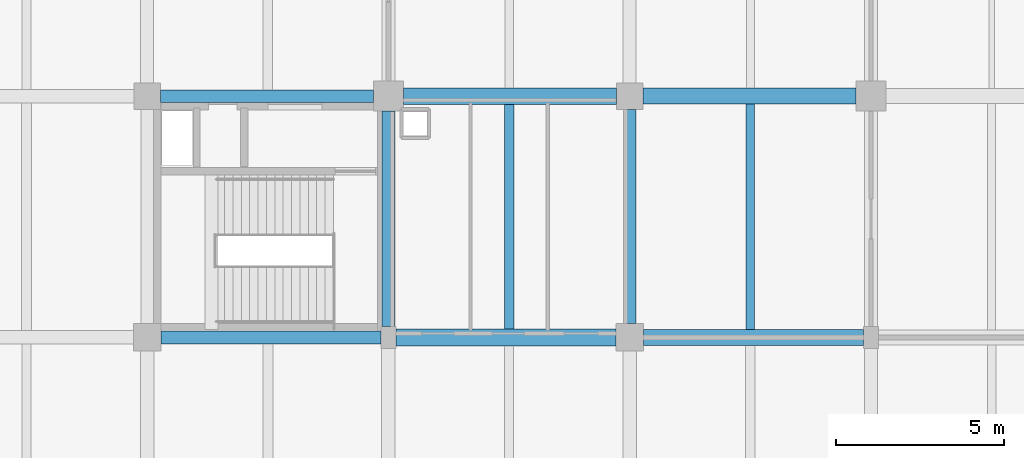
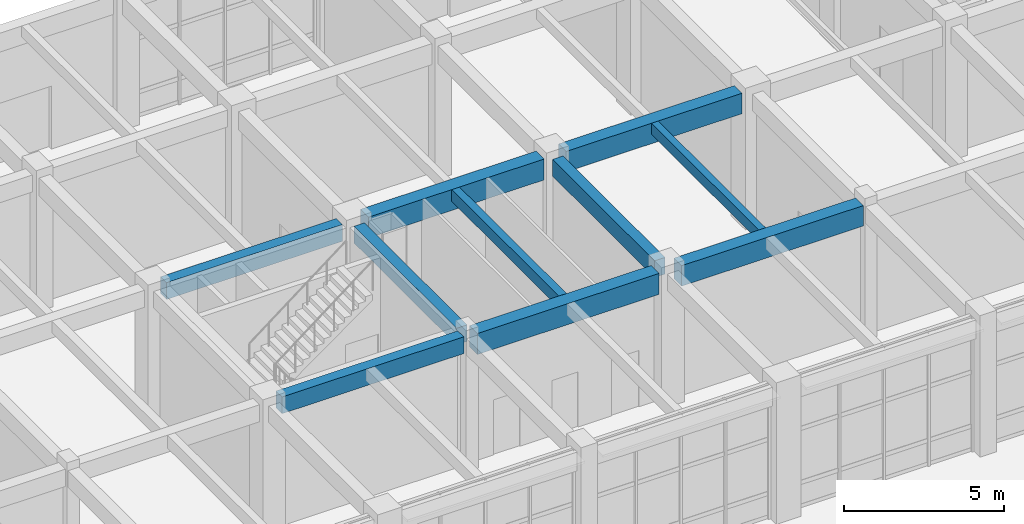
# One storey, part 76 of 160: 10 beams.
"""IFC4 building model written with IfcOpenShell, lengths in metres."""

from ifc_helpers import new_model, si_unit, direction, frame, origin, origin_2d, place, context, subcontext, project, spatial, rectangle, extrude, material, material_profile, profile_set, type_object, element, save


model = new_model("IFC4")

# Units and contexts
model_context = context("Model", 3, precision=1e-05, world=origin(), true_north=direction((0.0, 1.0)))
body_context = subcontext(model_context, "Body", "Model", "MODEL_VIEW")
ifc_project = project(units=[si_unit("LENGTHUNIT", "METRE"), si_unit("AREAUNIT", "SQUARE_METRE"), si_unit("VOLUMEUNIT", "CUBIC_METRE"), si_unit("PLANEANGLEUNIT", "RADIAN"), si_unit("MASSUNIT", "GRAM", prefix="KILO")], contexts=[model_context])

# Site, building, storey
site_placement = place(None, origin())
site = spatial("IfcSite", under=ifc_project, at=site_placement, CompositionType="ELEMENT")
building_placement = place(site_placement, origin())
building = spatial("IfcBuilding", under=site, at=building_placement, Name="Thalmaran Polytechnic", CompositionType="ELEMENT")
storey_placement = place(building_placement, origin())
storey = spatial("IfcBuildingStorey", under=building, at=storey_placement, Name="L00", CompositionType="ELEMENT", Elevation=0.0)

# Beams
ifc_material = material(Name="Concrete C40/50", Category="concrete")
ifc_material_profile_1 = material_profile(ifc_material, rectangle(XDim=0.5, YDim=0.800048828125, at=origin_2d()), Name="RC 500x800")
ifc_profile_set_1 = profile_set([ifc_material_profile_1], Name="Concrete C40/50")
beam_type_1 = type_object("IfcBeamType", Name="BM-RC02", PredefinedType="BEAM", material=ifc_profile_set_1)
beam_1_placement = place(storey_placement, frame((65.02490234375, 100.800048828125, 4.68994140625), z_axis=(1.0, 0.0, 0.0), x_axis=(0.0, 1.0, 0.0)))
element("IfcBeam", 1, at=beam_1_placement, inside=storey, type_object=beam_type_1, Name="Grid Beam B02 L00 X(9,14)", PredefinedType="BEAM", context=body_context, shape_type="SweptSolid", body=[
    extrude(rectangle(XDim=0.5, YDim=0.800048828125, at=origin_2d()), origin(), (0.0, 0.0, 1.0), 6.565185546875),
])
beam_2_placement = place(storey_placement, frame((65.25, 108.0, 4.68994140625), z_axis=(1.0, 0.0, 0.0), x_axis=(0.0, 1.0, 0.0)))
element("IfcBeam", 2, at=beam_2_placement, inside=storey, type_object=beam_type_1, Name="Grid Beam B02 L00 X(9,15)", PredefinedType="BEAM", context=body_context, shape_type="SweptSolid", body=[
    extrude(rectangle(XDim=0.5, YDim=0.800048828125, at=origin_2d()), origin(), (0.0, 0.0, 1.0), 6.35009765625),
])
ifc_material_profile_2 = material_profile(ifc_material, rectangle(XDim=0.280029296875, YDim=0.449951171875, at=origin_2d()), Name="RC 280x450")
ifc_profile_set_2 = profile_set([ifc_material_profile_2], Name="Concrete C40/50")
beam_type_2 = type_object("IfcBeamType", Name="BM-RC13", PredefinedType="JOIST", material=ifc_profile_set_2)
beam_3_placement = place(storey_placement, frame((68.39990234375, 101.050048828125, 4.864990234375), z_axis=(0.0, 1.0, 0.0), x_axis=(-1.0, 0.0, 0.0)))
element("IfcBeam", 3, at=beam_3_placement, inside=storey, type_object=beam_type_2, Name="Secondary Floor Rib RB03 L00 (9,14)", PredefinedType="JOIST", context=body_context, shape_type="SweptSolid", body=[
    extrude(rectangle(XDim=0.280029296875, YDim=0.449951171875, at=origin_2d()), origin(), (0.0, 0.0, 1.0), 6.699951171875),
])
ifc_material_profile_3 = material_profile(ifc_material, rectangle(XDim=0.47998046875, YDim=0.780029296875, at=origin_2d()), Name="RC 480x780")
ifc_profile_set_3 = profile_set([ifc_material_profile_3], Name="Concrete C40/50")
beam_type_3 = type_object("IfcBeamType", Name="BM-ZB01", PredefinedType="BEAM", material=ifc_profile_set_3)
beam_4_placement = place(storey_placement, frame((72.409912109375, 100.800048828125, 4.699951171875), z_axis=(1.0, 0.0, 0.0), x_axis=(0.0, 1.0, 0.0)))
element("IfcBeam", 4, at=beam_4_placement, inside=storey, type_object=beam_type_3, Name="Grid Beam ZB01 L00 X(10,14)", PredefinedType="BEAM", context=body_context, shape_type="SweptSolid", body=[
    extrude(rectangle(XDim=0.47998046875, YDim=0.780029296875, at=origin_2d()), origin(), (0.0, 0.0, 1.0), 6.565185546875),
])
beam_5_placement = place(storey_placement, frame((72.39990234375, 108.0, 4.699951171875), z_axis=(1.0, 0.0, 0.0), x_axis=(0.0, 1.0, 0.0)))
element("IfcBeam", 5, at=beam_5_placement, inside=storey, type_object=beam_type_3, Name="Grid Beam ZB01 L00 X(10,15)", PredefinedType="BEAM", context=body_context, shape_type="SweptSolid", body=[
    extrude(rectangle(XDim=0.47998046875, YDim=0.780029296875, at=origin_2d()), origin(), (0.0, 0.0, 1.0), 6.35009765625),
])
ifc_material_profile_4 = material_profile(ifc_material, rectangle(XDim=0.3798828125, YDim=0.639892578125, at=origin_2d()), Name="RC 380x640")
ifc_profile_set_4 = profile_set([ifc_material_profile_4], Name="Concrete C40/50")
beam_type_4 = type_object("IfcBeamType", Name="BM-ZB05", PredefinedType="BEAM", material=ifc_profile_set_4)
beam_6_placement = place(storey_placement, frame((58.010009765625, 100.800048828125, 4.77001953125), z_axis=(1.0, 0.0, 0.0), x_axis=(0.0, 1.0, 0.0)))
element("IfcBeam", 6, at=beam_6_placement, inside=storey, type_object=beam_type_4, Name="Grid Beam ZB05 L00 X(8,14)", PredefinedType="BEAM", context=body_context, shape_type="SweptSolid", body=[
    extrude(rectangle(XDim=0.3798828125, YDim=0.639892578125, at=origin_2d()), origin(), (0.0, 0.0, 1.0), 6.56494140625),
])
beam_7_placement = place(storey_placement, frame((58.0, 108.0, 4.77001953125), z_axis=(1.0, 0.0, 0.0), x_axis=(0.0, 1.0, 0.0)))
element("IfcBeam", 7, at=beam_7_placement, inside=storey, type_object=beam_type_4, Name="Grid Beam ZB05 L00 X(8,15)", PredefinedType="BEAM", context=body_context, shape_type="SweptSolid", body=[
    extrude(rectangle(XDim=0.3798828125, YDim=0.639892578125, at=origin_2d()), origin(), (0.0, 0.0, 1.0), 6.35009765625),
])
ifc_material_profile_5 = material_profile(ifc_material, rectangle(XDim=0.3798828125, YDim=0.635009765625, at=origin_2d()), Name="RC 380x635")
ifc_profile_set_5 = profile_set([ifc_material_profile_5], Name="Concrete C40/50")
beam_type_5 = type_object("IfcBeamType", Name="BM-ZB06", PredefinedType="BEAM", material=ifc_profile_set_5)
beam_8_placement = place(storey_placement, frame((64.800048828125, 101.125, 4.7724609375), z_axis=(0.0, 1.0, 0.0), x_axis=(-1.0, 0.0, 0.0)))
element("IfcBeam", 8, at=beam_8_placement, inside=storey, type_object=beam_type_5, Name="Grid Beam ZB06 L00 Y(9,14)", PredefinedType="BEAM", context=body_context, shape_type="SweptSolid", body=[
    extrude(rectangle(XDim=0.3798828125, YDim=0.635009765625, at=origin_2d()), origin(), (0.0, 0.0, 1.0), 6.425048828125),
])
beam_9_placement = place(storey_placement, frame((72.0, 101.2099609375, 4.7724609375), z_axis=(0.0, 1.0, 0.0), x_axis=(-1.0, 0.0, 0.0)))
element("IfcBeam", 9, at=beam_9_placement, inside=storey, type_object=beam_type_5, Name="Grid Beam ZB06 L00 Y(10,14)", PredefinedType="BEAM", context=body_context, shape_type="SweptSolid", body=[
    extrude(rectangle(XDim=0.3798828125, YDim=0.635009765625, at=origin_2d()), origin(), (0.0, 0.0, 1.0), 6.39013671875),
])
ifc_material_profile_6 = material_profile(ifc_material, rectangle(XDim=0.25, YDim=0.419921875, at=origin_2d()), Name="RC 250x420")
ifc_profile_set_6 = profile_set([ifc_material_profile_6], Name="Concrete C40/50")
beam_type_6 = type_object("IfcBeamType", Name="BM-ZJ03", PredefinedType="JOIST", material=ifc_profile_set_6)
beam_10_placement = place(storey_placement, frame((75.60009765625, 101.0400390625, 4.8798828125), z_axis=(0.0, 1.0, 0.0), x_axis=(-1.0, 0.0, 0.0)))
element("IfcBeam", 10, at=beam_10_placement, inside=storey, type_object=beam_type_6, Name="Secondary Floor Rib ZJ03 L00 (10,14)", PredefinedType="JOIST", context=body_context, shape_type="SweptSolid", body=[
    extrude(rectangle(XDim=0.25, YDim=0.419921875, at=origin_2d()), origin(), (0.0, 0.0, 1.0), 6.719970703125),
])

save(model, "model.ifc")
